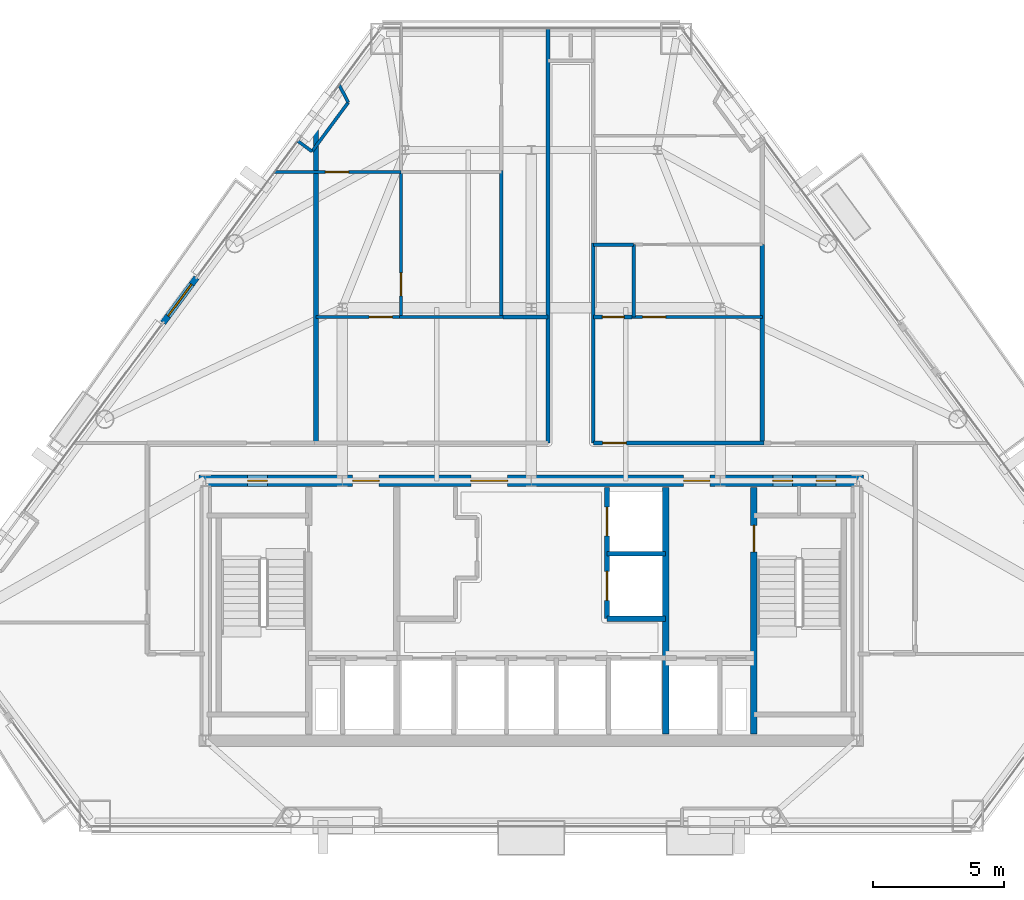
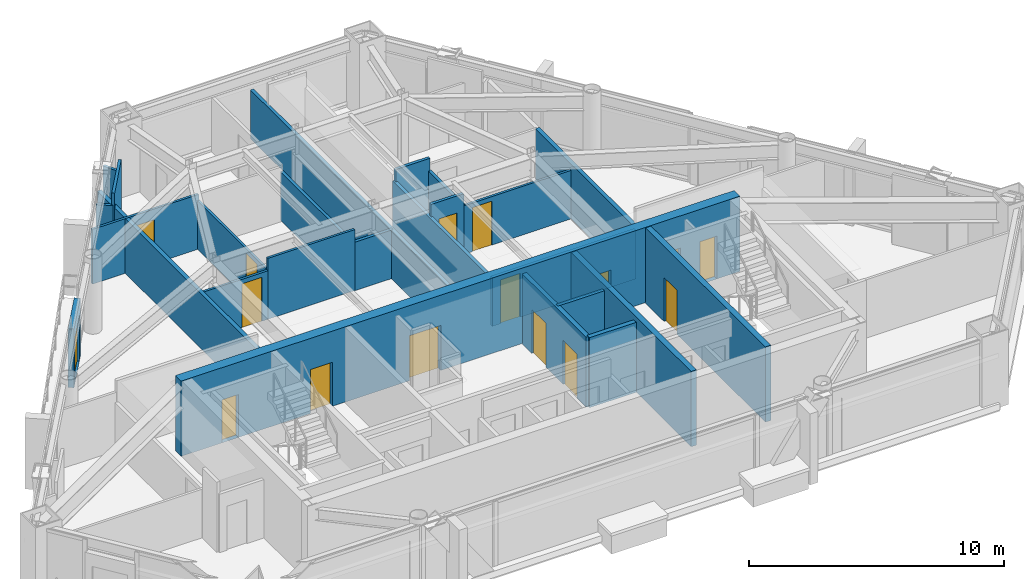
# One storey, part 8 of 11: 25 walls, 16 doors, 16 openings.
"""IFC4 building model written with IfcOpenShell, lengths in metres."""

from ifc_helpers import new_model, si_unit, direction, frame, frame_2d, origin, place, context, subcontext, project, spatial, rectangle, extrude, material, layer, layer_set, type_object, element, fill, save


model = new_model("IFC4")

# Units and contexts
model_context = context("Model", 3, precision=1e-05, world=origin(), true_north=direction((0.0, 1.0)))
body_context = subcontext(model_context, "Body", "Model", "MODEL_VIEW")
ifc_project = project(units=[si_unit("LENGTHUNIT", "METRE"), si_unit("AREAUNIT", "SQUARE_METRE"), si_unit("VOLUMEUNIT", "CUBIC_METRE"), si_unit("PLANEANGLEUNIT", "RADIAN"), si_unit("MASSUNIT", "GRAM", prefix="KILO")], contexts=[model_context])

# Site, building, storey
site_placement = place(None, origin())
site = spatial("IfcSite", under=ifc_project, at=site_placement, CompositionType="ELEMENT")
building_placement = place(site_placement, origin())
building = spatial("IfcBuilding", under=site, at=building_placement, Name="Talgorran Terracotta Tower", CompositionType="ELEMENT")
storey_placement = place(building_placement, frame((0.0, 0.0, 122.10009765625)))
storey = spatial("IfcBuildingStorey", under=building, at=storey_placement, Name="L31", CompositionType="ELEMENT", Elevation=122.10009765625)

# Wall, opening, door
ifc_material_1 = material(Name="Concrete C40/50", Category="concrete")
ifc_layer_1 = layer(ifc_material_1, 0.239990234375, Name="WT_BALCONY_SPAND")
ifc_layer_set_1 = layer_set([ifc_layer_1], Name="Concrete C40/50")
wall_type_1 = type_object("IfcWallType", Name="WT_BALCONY_SPAND", PredefinedType="STANDARD", material=ifc_layer_set_1)
wall_1_placement = place(storey_placement, frame((-12.7509765625, 3.541015625, -0.01513671875), z_axis=(0.0, 0.0, 1.0), x_axis=(-0.594638042479, -0.80399353134, 0.0)))
wall_1 = element("IfcWall", 1, at=wall_1_placement, inside=storey, type_object=wall_type_1, Name="WL-L31-BALP-BAL-NW", PredefinedType="STANDARD", context=body_context, shape_type="SweptSolid", body=[
    extrude(rectangle(XDim=2.139892578125, YDim=0.239990234375, at=frame_2d((1.06982421875, 0.0))), origin(), (0.0, 0.0, 1.0), 2.80712890625),
])
opening_1_placement = place(wall_1_placement, frame((0.320068359375, 0.0, 0.014892578125)))
opening_1 = element("IfcOpeningElement", 2, at=opening_1_placement, cuts=wall_1, Name="Opening D-BAL-L31-2", PredefinedType="OPENING", context=body_context, shape_type="SweptSolid", body=[
    extrude(rectangle(XDim=1.506, YDim=2.203951171875, at=frame_2d((0.75, 1.10205078125))), frame((0.0, 0.1298828125, 0.0), z_axis=(0.0, -1.0, 0.0), x_axis=(1.0, 0.0, 0.0)), (0.0, 0.0, 1.0), 0.260009765625),
])
ifc_material_2 = material(Name="Thermally Broken Aluminium", Category="aluminium")
door_type_1 = type_object("IfcDoorType", Name="DT_BALC_1500", OperationType="SLIDING_TO_RIGHT", PredefinedType="DOOR", material=ifc_material_2)
door_1_placement = place(opening_1_placement, origin())
door_1 = element("IfcDoor", 3, at=door_1_placement, inside=storey, type_object=door_type_1, Name="DR-L31-BAL-BAL-NW", OperationType="SLIDING_TO_RIGHT", OverallHeight=2.199951171875, OverallWidth=1.5, PredefinedType="DOOR", context=body_context, shape_type="SweptSolid", body=[
    extrude(rectangle(XDim=1.5, YDim=2.199951171875, at=frame_2d((0.75, 1.10009765625))), frame((0.0, 0.02490234375, 0.0), z_axis=(0.0, -1.0, 0.0), x_axis=(1.0, 0.0, 0.0)), (0.0, 0.0, 1.0), 0.050048828125),
])
fill(opening_1, door_1)

# Wall, openings, doors
ifc_material_3 = material(Name="Concrete C50/60", Category="concrete")
ifc_layer_2 = layer(ifc_material_3, 0.199951171875, Name="WT_CORE_200")
ifc_layer_set_2 = layer_set([ifc_layer_2], Name="Concrete C50/60")
wall_type_2 = type_object("IfcWallType", Name="WT_CORE_200", PredefinedType="SOLIDWALL", material=ifc_layer_set_2)
wall_2_placement = place(storey_placement, frame((2.8798828125, -9.449951171875, 0.0), z_axis=(0.0, 0.0, 1.0), x_axis=(0.0, 1.0, 0.0)))
wall_2 = element("IfcWall", 4, at=wall_2_placement, inside=storey, type_object=wall_type_2, Name="WL-L31-CW-V-E3", PredefinedType="SOLIDWALL", context=body_context, shape_type="SweptSolid", body=[
    extrude(rectangle(XDim=5.0, YDim=0.199951171875, at=frame_2d((2.5, 0.0))), origin(), (0.0, 0.0, 1.0), 3.349853515625),
])
opening_2_placement = place(wall_2_placement, frame((0.699951171875, 0.0, 0.0)))
opening_2 = element("IfcOpeningElement", 5, at=opening_2_placement, cuts=wall_2, Name="Opening LD-PLM1", PredefinedType="OPENING", context=body_context, shape_type="SweptSolid", body=[
    extrude(rectangle(XDim=1.10609765625, YDim=2.10409765625, at=frame_2d((0.550048828125, 1.052001953125))), frame((0.0, 0.10986328125, 0.0), z_axis=(0.0, -1.0, 0.0), x_axis=(1.0, 0.0, 0.0)), (0.0, 0.0, 1.0), 0.219970703125),
])
opening_3_placement = place(wall_2_placement, frame((3.14990234375, 0.0, 0.0)))
opening_3 = element("IfcOpeningElement", 6, at=opening_3_placement, cuts=wall_2, Name="Opening LD-PLM2", PredefinedType="OPENING", context=body_context, shape_type="SweptSolid", body=[
    extrude(rectangle(XDim=1.10609765625, YDim=2.10409765625, at=frame_2d((0.550048828125, 1.052001953125))), frame((0.0, 0.10986328125, 0.0), z_axis=(0.0, -1.0, 0.0), x_axis=(1.0, 0.0, 0.0)), (0.0, 0.0, 1.0), 0.219970703125),
])
ifc_material_4 = material(Name="Brushed Stainless Steel Grade 304", Category="steel")
door_type_2 = type_object("IfcDoorType", Name="DT_LIFT_LD1100", OperationType="DOUBLE_DOOR_SLIDING", PredefinedType="DOOR", material=ifc_material_4)
door_2_placement = place(opening_2_placement, origin())
door_2 = element("IfcDoor", 7, at=door_2_placement, inside=storey, type_object=door_type_2, Name="L31 Lift Landing Door LD-PLM1", OperationType="DOUBLE_DOOR_SLIDING", OverallHeight=2.10009765625, OverallWidth=1.10009765625, PredefinedType="DOOR", context=body_context, shape_type="SweptSolid", body=[
    extrude(rectangle(XDim=1.10009765625, YDim=2.10009765625, at=frame_2d((0.550048828125, 1.050048828125))), frame((0.0, 0.02490234375, 0.0), z_axis=(0.0, -1.0, 0.0), x_axis=(1.0, 0.0, 0.0)), (0.0, 0.0, 1.0), 0.050048828125),
])
fill(opening_2, door_2)
door_3_placement = place(opening_3_placement, origin())
door_3 = element("IfcDoor", 8, at=door_3_placement, inside=storey, type_object=door_type_2, Name="L31 Lift Landing Door LD-PLM2", OperationType="DOUBLE_DOOR_SLIDING", OverallHeight=2.10009765625, OverallWidth=1.10009765625, PredefinedType="DOOR", context=body_context, shape_type="SweptSolid", body=[
    extrude(rectangle(XDim=1.10009765625, YDim=2.10009765625, at=frame_2d((0.550048828125, 1.050048828125))), frame((0.0, 0.02490234375, 0.0), z_axis=(0.0, -1.0, 0.0), x_axis=(1.0, 0.0, 0.0)), (0.0, 0.0, 1.0), 0.050048828125),
])
fill(opening_3, door_3)

# Wall
wall_3_placement = place(storey_placement, frame((2.8798828125, -9.449951171875, 0.0), z_axis=(0.0, 0.0, 1.0), x_axis=(1.0, 0.0, 0.0)))
element("IfcWall", 9, at=wall_3_placement, inside=storey, type_object=wall_type_2, Name="WL-L31-CW-H-E4", PredefinedType="SOLIDWALL", context=body_context, shape_type="SweptSolid", body=[
    extrude(rectangle(XDim=2.240234375, YDim=0.199951171875, at=frame_2d((1.1201171875, 0.0))), origin(), (0.0, 0.0, 1.0), 3.349853515625),
])

# Wall, opening, door
ifc_layer_3 = layer(ifc_material_3, 0.25, Name="WT_CORE_250")
ifc_layer_set_3 = layer_set([ifc_layer_3], Name="Concrete C50/60")
wall_type_3 = type_object("IfcWallType", Name="WT_CORE_250", PredefinedType="SHEAR", material=ifc_layer_set_3)
wall_4_placement = place(storey_placement, frame((8.47998046875, -13.85009765625, 0.0), z_axis=(0.0, 0.0, 1.0), x_axis=(0.0, 1.0, 0.0)))
wall_4 = element("IfcWall", 10, at=wall_4_placement, inside=storey, type_object=wall_type_3, Name="WL-L31-CW-V-E1", PredefinedType="SHEAR", context=body_context, shape_type="SweptSolid", body=[
    extrude(rectangle(XDim=9.400146484375, YDim=0.25, at=frame_2d((4.7001953125, 0.0))), origin(), (0.0, 0.0, 1.0), 3.599853515625),
])
opening_4_placement = place(wall_4_placement, frame((6.949951171875, 0.0, 0.0)))
opening_4 = element("IfcOpeningElement", 11, at=opening_4_placement, cuts=wall_4, Name="Opening DR-ST02", PredefinedType="OPENING", context=body_context, shape_type="SweptSolid", body=[
    extrude(rectangle(XDim=1.006, YDim=2.10409765625, at=frame_2d((0.5, 1.052001953125))), frame((0.0, 0.135009765625, 0.0), z_axis=(0.0, -1.0, 0.0), x_axis=(1.0, 0.0, 0.0)), (0.0, 0.0, 1.0), 0.27001953125),
])
ifc_material_5 = material(Name="Fire-Rated Pressed Steel", Category="steel")
door_type_3 = type_object("IfcDoorType", Name="DT_FIRE_1000", OperationType="NOTDEFINED", PredefinedType="DOOR", material=ifc_material_5)
door_4_placement = place(opening_4_placement, origin())
door_4 = element("IfcDoor", 12, at=door_4_placement, inside=storey, type_object=door_type_3, Name="DR-ST02", OperationType="SINGLE_SWING_RIGHT", OverallHeight=2.10009765625, OverallWidth=1.0, PredefinedType="DOOR", context=body_context, shape_type="SweptSolid", body=[
    extrude(rectangle(XDim=1.0, YDim=2.10009765625, at=frame_2d((0.5, 1.050048828125))), frame((0.0, 0.02490234375, 0.0), z_axis=(0.0, -1.0, 0.0), x_axis=(1.0, 0.0, 0.0)), (0.0, 0.0, 1.0), 0.050048828125),
])
fill(opening_4, door_4)

# Wall
wall_5_placement = place(storey_placement, frame((5.1201171875, -13.85009765625, 0.0), z_axis=(0.0, 0.0, 1.0), x_axis=(0.0, 1.0, 0.0)))
element("IfcWall", 13, at=wall_5_placement, inside=storey, type_object=wall_type_3, Name="WL-L31-CW-V-E2", PredefinedType="SHEAR", context=body_context, shape_type="SweptSolid", body=[
    extrude(rectangle(XDim=9.400146484375, YDim=0.25, at=frame_2d((4.7001953125, 0.0))), origin(), (0.0, 0.0, 1.0), 3.599853515625),
])

# Wall, openings, doors
ifc_material_6 = material(Name="Concrete C65/80", Category="concrete")
ifc_layer_4 = layer(ifc_material_6, 0.449951171875, Name="WT_CORE_EXT")
ifc_layer_set_4 = layer_set([ifc_layer_4], Name="Concrete C65/80")
wall_type_4 = type_object("IfcWallType", Name="WT_CORE_EXT", PredefinedType="SHEAR", material=ifc_layer_set_4)
wall_6_placement = place(storey_placement, frame((-12.64990234375, -4.199951171875, 0.0), z_axis=(0.0, 0.0, 1.0), x_axis=(1.0, 0.0, 0.0)))
wall_6 = element("IfcWall", 14, at=wall_6_placement, inside=storey, type_object=wall_type_4, Name="WL-L31-CW-OUT-N", PredefinedType="SHEAR", context=body_context, shape_type="SweptSolid", body=[
    extrude(rectangle(XDim=25.2998046875, YDim=0.449951171875, at=frame_2d((12.64990234375, 0.0))), origin(), (0.0, 0.0, 1.0), 3.599853515625),
])
opening_5_placement = place(wall_6_placement, frame((1.85009765625, 0.0, 0.0)))
opening_5 = element("IfcOpeningElement", 15, at=opening_5_placement, cuts=wall_6, Name="Opening DR-CSN1", PredefinedType="OPENING", context=body_context, shape_type="SweptSolid", body=[
    extrude(rectangle(XDim=0.756, YDim=2.054048828125, at=frame_2d((0.375, 1.027099609375))), frame((0.0, 0.23486328125, 0.0), z_axis=(0.0, -1.0, 0.0), x_axis=(1.0, 0.0, 0.0)), (0.0, 0.0, 1.0), 0.469970703125),
])
opening_6_placement = place(wall_6_placement, frame((21.85009765625, 0.0, 0.0)))
opening_6 = element("IfcOpeningElement", 16, at=opening_6_placement, cuts=wall_6, Name="Opening DR-CSN2", PredefinedType="OPENING", context=body_context, shape_type="SweptSolid", body=[
    extrude(rectangle(XDim=0.756, YDim=2.054048828125, at=frame_2d((0.375, 1.027099609375))), frame((0.0, 0.23486328125, 0.0), z_axis=(0.0, -1.0, 0.0), x_axis=(1.0, 0.0, 0.0)), (0.0, 0.0, 1.0), 0.469970703125),
])
opening_7_placement = place(wall_6_placement, frame((23.5, 0.0, 0.0)))
opening_7 = element("IfcOpeningElement", 17, at=opening_7_placement, cuts=wall_6, Name="Opening DR-CSN3", PredefinedType="OPENING", context=body_context, shape_type="SweptSolid", body=[
    extrude(rectangle(XDim=0.756, YDim=2.054048828125, at=frame_2d((0.375, 1.027099609375))), frame((0.0, 0.23486328125, 0.0), z_axis=(0.0, -1.0, 0.0), x_axis=(1.0, 0.0, 0.0)), (0.0, 0.0, 1.0), 0.469970703125),
])
opening_8_placement = place(wall_6_placement, frame((5.85009765625, 0.0, 0.0)))
opening_8 = element("IfcOpeningElement", 18, at=opening_8_placement, cuts=wall_6, Name="Opening DR-FFLW-N", PredefinedType="OPENING", context=body_context, shape_type="SweptSolid", body=[
    extrude(rectangle(XDim=1.006, YDim=2.10409765625, at=frame_2d((0.5, 1.052001953125))), frame((0.0, 0.23486328125, 0.0), z_axis=(0.0, -1.0, 0.0), x_axis=(1.0, 0.0, 0.0)), (0.0, 0.0, 1.0), 0.469970703125),
])
opening_9_placement = place(wall_6_placement, frame((10.35009765625, 0.0, 0.0)))
opening_9 = element("IfcOpeningElement", 19, at=opening_9_placement, cuts=wall_6, Name="Opening DR-PLL-N", PredefinedType="OPENING", context=body_context, shape_type="SweptSolid", body=[
    extrude(rectangle(XDim=1.40590234375, YDim=2.15390234375, at=frame_2d((0.699951171875, 1.076904296875))), frame((0.0, 0.23486328125, 0.0), z_axis=(0.0, -1.0, 0.0), x_axis=(1.0, 0.0, 0.0)), (0.0, 0.0, 1.0), 0.469970703125),
])
opening_10_placement = place(wall_6_placement, frame((18.449951171875, 0.0, 0.0)))
opening_10 = element("IfcOpeningElement", 20, at=opening_10_placement, cuts=wall_6, Name="Opening DR-FFLE-N", PredefinedType="OPENING", context=body_context, shape_type="SweptSolid", body=[
    extrude(rectangle(XDim=1.006, YDim=2.10409765625, at=frame_2d((0.5, 1.052001953125))), frame((0.0, 0.23486328125, 0.0), z_axis=(0.0, -1.0, 0.0), x_axis=(1.0, 0.0, 0.0)), (0.0, 0.0, 1.0), 0.469970703125),
])
ifc_material_7 = material(Name="Acoustic Glazed Timber", Category="wood")
door_type_4 = type_object("IfcDoorType", Name="DT_DOUBLE_1400", OperationType="DOUBLE_DOOR_SINGLE_SWING", PredefinedType="DOOR", material=ifc_material_7)
door_5_placement = place(opening_9_placement, origin())
door_5 = element("IfcDoor", 21, at=door_5_placement, inside=storey, type_object=door_type_4, Name="DR-PLL-N", OperationType="DOUBLE_DOOR_SINGLE_SWING", OverallHeight=2.14990234375, OverallWidth=1.39990234375, PredefinedType="DOOR", context=body_context, shape_type="SweptSolid", body=[
    extrude(rectangle(XDim=1.39990234375, YDim=2.14990234375, at=frame_2d((0.699951171875, 1.074951171875))), frame((0.0, 0.02490234375, 0.0), z_axis=(0.0, -1.0, 0.0), x_axis=(1.0, 0.0, 0.0)), (0.0, 0.0, 1.0), 0.050048828125),
])
fill(opening_9, door_5)
door_6_placement = place(opening_8_placement, origin())
door_6 = element("IfcDoor", 22, at=door_6_placement, inside=storey, type_object=door_type_3, Name="DR-FFLW-N", OperationType="SINGLE_SWING_LEFT", OverallHeight=2.10009765625, OverallWidth=1.0, PredefinedType="DOOR", context=body_context, shape_type="SweptSolid", body=[
    extrude(rectangle(XDim=1.0, YDim=2.10009765625, at=frame_2d((0.5, 1.050048828125))), frame((0.0, 0.02490234375, 0.0), z_axis=(0.0, -1.0, 0.0), x_axis=(1.0, 0.0, 0.0)), (0.0, 0.0, 1.0), 0.050048828125),
])
fill(opening_8, door_6)
door_7_placement = place(opening_10_placement, origin())
door_7 = element("IfcDoor", 23, at=door_7_placement, inside=storey, type_object=door_type_3, Name="DR-FFLE-N", OperationType="SINGLE_SWING_RIGHT", OverallHeight=2.10009765625, OverallWidth=1.0, PredefinedType="DOOR", context=body_context, shape_type="SweptSolid", body=[
    extrude(rectangle(XDim=1.0, YDim=2.10009765625, at=frame_2d((0.5, 1.050048828125))), frame((0.0, 0.02490234375, 0.0), z_axis=(0.0, -1.0, 0.0), x_axis=(1.0, 0.0, 0.0)), (0.0, 0.0, 1.0), 0.050048828125),
])
fill(opening_10, door_7)
door_type_5 = type_object("IfcDoorType", Name="DT_RISER_750", OperationType="NOTDEFINED", PredefinedType="DOOR", material=ifc_material_5)
door_8_placement = place(opening_5_placement, origin())
door_8 = element("IfcDoor", 24, at=door_8_placement, inside=storey, type_object=door_type_5, Name="DR-CSN1", OperationType="SINGLE_SWING_LEFT", OverallHeight=2.050048828125, OverallWidth=0.75, PredefinedType="DOOR", context=body_context, shape_type="SweptSolid", body=[
    extrude(rectangle(XDim=0.75, YDim=2.050048828125, at=frame_2d((0.375, 1.02490234375))), frame((0.0, 0.02490234375, 0.0), z_axis=(0.0, -1.0, 0.0), x_axis=(1.0, 0.0, 0.0)), (0.0, 0.0, 1.0), 0.050048828125),
])
fill(opening_5, door_8)
door_9_placement = place(opening_6_placement, origin())
door_9 = element("IfcDoor", 25, at=door_9_placement, inside=storey, type_object=door_type_5, Name="DR-CSN2", OperationType="SINGLE_SWING_LEFT", OverallHeight=2.050048828125, OverallWidth=0.75, PredefinedType="DOOR", context=body_context, shape_type="SweptSolid", body=[
    extrude(rectangle(XDim=0.75, YDim=2.050048828125, at=frame_2d((0.375, 1.02490234375))), frame((0.0, 0.02490234375, 0.0), z_axis=(0.0, -1.0, 0.0), x_axis=(1.0, 0.0, 0.0)), (0.0, 0.0, 1.0), 0.050048828125),
])
fill(opening_6, door_9)
door_10_placement = place(opening_7_placement, origin())
door_10 = element("IfcDoor", 26, at=door_10_placement, inside=storey, type_object=door_type_5, Name="DR-CSN3", OperationType="SINGLE_SWING_RIGHT", OverallHeight=2.050048828125, OverallWidth=0.75, PredefinedType="DOOR", context=body_context, shape_type="SweptSolid", body=[
    extrude(rectangle(XDim=0.75, YDim=2.050048828125, at=frame_2d((0.375, 1.02490234375))), frame((0.0, 0.02490234375, 0.0), z_axis=(0.0, -1.0, 0.0), x_axis=(1.0, 0.0, 0.0)), (0.0, 0.0, 1.0), 0.050048828125),
])
fill(opening_7, door_10)

# Wall
ifc_material_8 = material(Name="Fire-Rated Steel Stud Plasterboard", Category="steel")
ifc_layer_5 = layer(ifc_material_8, 0.14990234375, Name="WT_FIRE_150")
ifc_layer_set_5 = layer_set([ifc_layer_5], Name="Fire-Rated Steel Stud Plasterboard")
wall_type_5 = type_object("IfcWallType", Name="WT_FIRE_150", PredefinedType="PARTITIONING", material=ifc_layer_set_5)
wall_7_placement = place(storey_placement, frame((0.639892578125, -2.760009765625, 0.0), z_axis=(0.0, 0.0, 1.0), x_axis=(0.0, 1.0, 0.0)))
element("IfcWall", 27, at=wall_7_placement, inside=storey, type_object=wall_type_5, Name="WL-L31-W-L31-R09", PredefinedType="PARTITIONING", context=body_context, shape_type="SweptSolid", body=[
    extrude(rectangle(XDim=15.802001953125, YDim=0.14990234375, at=frame_2d((7.90087890625, 0.0))), origin(), (0.0, 0.0, 1.0), 2.324951171875),
])

# Wall, opening, door
wall_8_placement = place(storey_placement, frame((2.360107421875, -2.760009765625, 0.0), z_axis=(0.0, 0.0, 1.0), x_axis=(1.0, 0.0, 0.0)))
wall_8 = element("IfcWall", 28, at=wall_8_placement, inside=storey, type_object=wall_type_5, Name="WL-L31-W-L31-R12", PredefinedType="PARTITIONING", context=body_context, shape_type="SweptSolid", body=[
    extrude(rectangle(XDim=6.5, YDim=0.14990234375, at=frame_2d((3.25, 0.0))), origin(), (0.0, 0.0, 1.0), 2.324951171875),
])
opening_11_placement = place(wall_8_placement, frame((0.360107421875, 0.0, 0.0)))
opening_11 = element("IfcOpeningElement", 29, at=opening_11_placement, cuts=wall_8, Name="Opening DR-L31-R12", PredefinedType="OPENING", context=body_context, shape_type="SweptSolid", body=[
    extrude(rectangle(XDim=0.90590234375, YDim=2.10409765625, at=frame_2d((0.449951171875, 1.052001953125))), frame((0.0, 0.0849609375, 0.0), z_axis=(0.0, -1.0, 0.0), x_axis=(1.0, 0.0, 0.0)), (0.0, 0.0, 1.0), 0.169921875),
])
ifc_material_9 = material(Name="Fire-Rated Timber Core", Category="wood")
door_type_6 = type_object("IfcDoorType", Name="DT_FIRE_900", OperationType="NOTDEFINED", PredefinedType="DOOR", material=ifc_material_9)
door_11_placement = place(opening_11_placement, origin())
door_11 = element("IfcDoor", 30, at=door_11_placement, inside=storey, type_object=door_type_6, Name="DR-L31-R12", OperationType="SINGLE_SWING_RIGHT", OverallHeight=2.10009765625, OverallWidth=0.89990234375, PredefinedType="DOOR", context=body_context, shape_type="SweptSolid", body=[
    extrude(rectangle(XDim=0.89990234375, YDim=2.10009765625, at=frame_2d((0.449951171875, 1.050048828125))), frame((0.0, 0.02490234375, 0.0), z_axis=(0.0, -1.0, 0.0), x_axis=(1.0, 0.0, 0.0)), (0.0, 0.0, 1.0), 0.050048828125),
])
fill(opening_11, door_11)

# Walls
wall_9_placement = place(storey_placement, frame((2.360107421875, -2.760009765625, 0.0), z_axis=(0.0, 0.0, 1.0), x_axis=(0.0, 1.0, 0.0)))
element("IfcWall", 31, at=wall_9_placement, inside=storey, type_object=wall_type_5, Name="WL-L31-W-L31-R11", PredefinedType="PARTITIONING", context=body_context, shape_type="SweptSolid", body=[
    extrude(rectangle(XDim=7.6201171875, YDim=0.14990234375, at=frame_2d((3.81005859375, 0.0))), origin(), (0.0, 0.0, 1.0), 2.324951171875),
])
ifc_material_10 = material(Name="Acoustic Stud and Plasterboard")
ifc_layer_6 = layer(ifc_material_10, 0.179931640625, Name="WT_PARTY_200")
ifc_layer_set_6 = layer_set([ifc_layer_6], Name="Acoustic Stud and Plasterboard")
wall_type_6 = type_object("IfcWallType", Name="WT_PARTY_200", PredefinedType="PARTITIONING", material=ifc_layer_set_6)
wall_10_placement = place(storey_placement, frame((-8.199951171875, -2.760009765625, 0.0), z_axis=(0.0, 0.0, 1.0), x_axis=(0.0, 1.0, 0.0)))
element("IfcWall", 32, at=wall_10_placement, inside=storey, type_object=wall_type_6, Name="WL-L31-W-L31-R23", PredefinedType="PARTITIONING", context=body_context, shape_type="SweptSolid", body=[
    extrude(rectangle(XDim=12.454345703125, YDim=0.179931640625, at=frame_2d((6.22705078125, 0.0))), origin(), (0.0, 0.0, 1.0), 2.616943359375),
])
wall_11_placement = place(storey_placement, frame((8.800048828125, -2.760009765625, 0.0), z_axis=(0.0, 0.0, 1.0), x_axis=(0.0, 1.0, 0.0)))
element("IfcWall", 33, at=wall_11_placement, inside=storey, type_object=wall_type_6, Name="WL-L31-W-L31-R36", PredefinedType="PARTITIONING", context=body_context, shape_type="SweptSolid", body=[
    extrude(rectangle(XDim=7.56005859375, YDim=0.179931640625, at=frame_2d((3.780029296875, 0.0))), origin(), (0.0, 0.0, 1.0), 2.616943359375),
])

# Wall, opening, door
ifc_material_11 = material(Name="Lightweight Steel Stud Partition", Category="steel")
ifc_layer_7 = layer(ifc_material_11, 0.10498046875, Name="WT_PART_110")
ifc_layer_set_7 = layer_set([ifc_layer_7], Name="Lightweight Steel Stud Partition")
wall_type_7 = type_object("IfcWallType", Name="WT_PART_110", PredefinedType="PARTITIONING", material=ifc_layer_set_7)
wall_12_placement = place(storey_placement, frame((-4.9599609375, 2.0400390625, 0.0), z_axis=(0.0, 0.0, 1.0), x_axis=(0.0, 1.0, 0.0)))
wall_12 = element("IfcWall", 34, at=wall_12_placement, inside=storey, type_object=wall_type_7, Name="WL-L31-W-L31-R30", PredefinedType="PARTITIONING", context=body_context, shape_type="SweptSolid", body=[
    extrude(rectangle(XDim=5.52001953125, YDim=0.10498046875, at=frame_2d((2.760009765625, 0.0))), origin(), (0.0, 0.0, 1.0), 2.324951171875),
])
opening_12_placement = place(wall_12_placement, frame((0.800048828125, 0.0, 0.0)))
opening_12 = element("IfcOpeningElement", 35, at=opening_12_placement, cuts=wall_12, Name="Opening DR-L31-R09", PredefinedType="OPENING", context=body_context, shape_type="SweptSolid", body=[
    extrude(rectangle(XDim=0.8858828125, YDim=2.10409765625, at=frame_2d((0.43994140625, 1.052001953125))), frame((0.0, 0.0625, 0.0), z_axis=(0.0, -1.0, 0.0), x_axis=(1.0, 0.0, 0.0)), (0.0, 0.0, 1.0), 0.125),
])
ifc_material_12 = material(Name="Solid-Core Painted Timber", Category="wood")
door_type_7 = type_object("IfcDoorType", Name="DT_INT_880", OperationType="NOTDEFINED", PredefinedType="DOOR", material=ifc_material_12)
door_12_placement = place(opening_12_placement, origin())
door_12 = element("IfcDoor", 36, at=door_12_placement, inside=storey, type_object=door_type_7, Name="DR-L31-R09", OperationType="SINGLE_SWING_LEFT", OverallHeight=2.10009765625, OverallWidth=0.8798828125, PredefinedType="DOOR", context=body_context, shape_type="SweptSolid", body=[
    extrude(rectangle(XDim=0.8798828125, YDim=2.10009765625, at=frame_2d((0.43994140625, 1.050048828125))), frame((0.0, 0.02490234375, 0.0), z_axis=(0.0, -1.0, 0.0), x_axis=(1.0, 0.0, 0.0)), (0.0, 0.0, 1.0), 0.050048828125),
])
fill(opening_12, door_12)

wall_13_placement = place(storey_placement, frame((3.840087890625, 2.0400390625, 0.0), z_axis=(0.0, 0.0, 1.0), x_axis=(1.0, 0.0, 0.0)))
wall_13 = element("IfcWall", 37, at=wall_13_placement, inside=storey, type_object=wall_type_7, Name="WL-L31-W-L31-R35", PredefinedType="PARTITIONING", context=body_context, shape_type="SweptSolid", body=[
    extrude(rectangle(XDim=4.9599609375, YDim=0.10498046875, at=frame_2d((2.47998046875, 0.0))), origin(), (0.0, 0.0, 1.0), 2.324951171875),
])
opening_13_placement = place(wall_13_placement, frame((0.397216796875, 0.0, 0.0)))
opening_13 = element("IfcOpeningElement", 38, at=opening_13_placement, cuts=wall_13, Name="Opening DR-L31-R14", PredefinedType="OPENING", context=body_context, shape_type="SweptSolid", body=[
    extrude(rectangle(XDim=0.8858828125, YDim=2.10409765625, at=frame_2d((0.43994140625, 1.052001953125))), frame((0.0, 0.0625, 0.0), z_axis=(0.0, -1.0, 0.0), x_axis=(1.0, 0.0, 0.0)), (0.0, 0.0, 1.0), 0.125),
])
door_13_placement = place(opening_13_placement, origin())
door_13 = element("IfcDoor", 39, at=door_13_placement, inside=storey, type_object=door_type_7, Name="DR-L31-R14", OperationType="SINGLE_SWING_RIGHT", OverallHeight=2.10009765625, OverallWidth=0.8798828125, PredefinedType="DOOR", context=body_context, shape_type="SweptSolid", body=[
    extrude(rectangle(XDim=0.8798828125, YDim=2.10009765625, at=frame_2d((0.43994140625, 1.050048828125))), frame((0.0, 0.02490234375, 0.0), z_axis=(0.0, -1.0, 0.0), x_axis=(1.0, 0.0, 0.0)), (0.0, 0.0, 1.0), 0.050048828125),
])
fill(opening_13, door_13)

wall_14_placement = place(storey_placement, frame((-9.778564453125, 7.56005859375, 0.0), z_axis=(0.0, 0.0, 1.0), x_axis=(1.0, 0.0, 0.0)))
wall_14 = element("IfcWall", 40, at=wall_14_placement, inside=storey, type_object=wall_type_7, Name="WL-L31-W-L31-R31", PredefinedType="PARTITIONING", context=body_context, shape_type="SweptSolid", body=[
    extrude(rectangle(XDim=4.818603515625, YDim=0.10498046875, at=frame_2d((2.4091796875, 0.0))), origin(), (0.0, 0.0, 1.0), 2.616943359375),
])
opening_14_placement = place(wall_14_placement, frame((1.938720703125, 0.0, 0.0)))
opening_14 = element("IfcOpeningElement", 41, at=opening_14_placement, cuts=wall_14, Name="Opening DR-L31-R10", PredefinedType="OPENING", context=body_context, shape_type="SweptSolid", body=[
    extrude(rectangle(XDim=0.8858828125, YDim=2.10409765625, at=frame_2d((0.43994140625, 1.052001953125))), frame((0.0, 0.0625, 0.0), z_axis=(0.0, -1.0, 0.0), x_axis=(1.0, 0.0, 0.0)), (0.0, 0.0, 1.0), 0.125),
])
door_14_placement = place(opening_14_placement, origin())
door_14 = element("IfcDoor", 42, at=door_14_placement, inside=storey, type_object=door_type_7, Name="DR-L31-R10", OperationType="SINGLE_SWING_RIGHT", OverallHeight=2.10009765625, OverallWidth=0.8798828125, PredefinedType="DOOR", context=body_context, shape_type="SweptSolid", body=[
    extrude(rectangle(XDim=0.8798828125, YDim=2.10009765625, at=frame_2d((0.43994140625, 1.050048828125))), frame((0.0, 0.02490234375, 0.0), z_axis=(0.0, -1.0, 0.0), x_axis=(1.0, 0.0, 0.0)), (0.0, 0.0, 1.0), 0.050048828125),
])
fill(opening_14, door_14)

# Wall
wall_15_placement = place(storey_placement, frame((-5.02001953125, 2.0400390625, 0.0), z_axis=(0.0, 0.0, 1.0), x_axis=(1.0, 0.0, 0.0)))
element("IfcWall", 43, at=wall_15_placement, inside=storey, type_object=wall_type_7, Name="WL-L31-W-L31-R27", PredefinedType="PARTITIONING", context=body_context, shape_type="SweptSolid", body=[
    extrude(rectangle(XDim=3.93994140625, YDim=0.10498046875, at=frame_2d((1.969970703125, 0.0))), origin(), (0.0, 0.0, 1.0), 2.91845703125),
])

# Wall, opening, door
wall_16_placement = place(storey_placement, frame((-8.199951171875, 2.0400390625, 0.0), z_axis=(0.0, 0.0, 1.0), x_axis=(1.0, 0.0, 0.0)))
wall_16 = element("IfcWall", 44, at=wall_16_placement, inside=storey, type_object=wall_type_7, Name="WL-L31-W-L31-R26", PredefinedType="PARTITIONING", context=body_context, shape_type="SweptSolid", body=[
    extrude(rectangle(XDim=3.177978515625, YDim=0.10498046875, at=frame_2d((1.5888671875, 0.0))), origin(), (0.0, 0.0, 1.0), 2.324951171875),
])
opening_15_placement = place(wall_16_placement, frame((2.0224609375, 0.0, 0.0)))
opening_15 = element("IfcOpeningElement", 45, at=opening_15_placement, cuts=wall_16, Name="Opening DR-L31-R08", PredefinedType="OPENING", context=body_context, shape_type="SweptSolid", body=[
    extrude(rectangle(XDim=0.8858828125, YDim=2.10409765625, at=frame_2d((0.43994140625, 1.052001953125))), frame((0.0, 0.0625, 0.0), z_axis=(0.0, -1.0, 0.0), x_axis=(1.0, 0.0, 0.0)), (0.0, 0.0, 1.0), 0.125),
])
door_15_placement = place(opening_15_placement, origin())
door_15 = element("IfcDoor", 46, at=door_15_placement, inside=storey, type_object=door_type_7, Name="DR-L31-R08", OperationType="SINGLE_SWING_RIGHT", OverallHeight=2.10009765625, OverallWidth=0.8798828125, PredefinedType="DOOR", context=body_context, shape_type="SweptSolid", body=[
    extrude(rectangle(XDim=0.8798828125, YDim=2.10009765625, at=frame_2d((0.43994140625, 1.050048828125))), frame((0.0, 0.02490234375, 0.0), z_axis=(0.0, -1.0, 0.0), x_axis=(1.0, 0.0, 0.0)), (0.0, 0.0, 1.0), 0.050048828125),
])
fill(opening_15, door_15)

# Walls
ifc_material_13 = material(Name="Insulated Steel Stud Plasterboard", Category="steel")
ifc_layer_8 = layer(ifc_material_13, 0.1201171875, Name="WT_PART_120")
ifc_layer_set_8 = layer_set([ifc_layer_8], Name="Insulated Steel Stud Plasterboard")
wall_type_8 = type_object("IfcWallType", Name="WT_PART_120", PredefinedType="PARTITIONING", material=ifc_layer_set_8)
wall_17_placement = place(storey_placement, frame((-6.97119140625, 10.21240234375, 0.0), z_axis=(0.0, 0.0, 1.0), x_axis=(-0.594589014846, -0.804029790135, 0.0)))
element("IfcWall", 47, at=wall_17_placement, inside=storey, type_object=wall_type_8, Name="WL-L31-BW-L31-15", PredefinedType="PARTITIONING", context=body_context, shape_type="SweptSolid", body=[
    extrude(rectangle(XDim=2.3232421875, YDim=0.1201171875, at=frame_2d((1.16162109375, 0.0))), origin(), (0.0, 0.0, 1.0), 3.349853515625),
])
wall_18_placement = place(storey_placement, frame((-7.314208984375, 10.87548828125, 0.0), z_axis=(0.0, 0.0, 1.0), x_axis=(0.459467400797, -0.888194633853, 0.0)))
element("IfcWall", 48, at=wall_18_placement, inside=storey, type_object=wall_type_8, Name="WL-L31-BW-L31-14", PredefinedType="PARTITIONING", context=body_context, shape_type="SweptSolid", body=[
    extrude(rectangle(XDim=0.74658203125, YDim=0.1201171875, at=frame_2d((0.373291015625, 0.0))), origin(), (0.0, 0.0, 1.0), 2.7919921875),
])
wall_19_placement = place(storey_placement, frame((-8.3525390625, 8.344482421875, 0.0), z_axis=(0.0, 0.0, 1.0), x_axis=(-0.803918563719, 0.594739390748, 0.0)))
element("IfcWall", 49, at=wall_19_placement, inside=storey, type_object=wall_type_8, Name="WL-L31-BW-L31-16", PredefinedType="PARTITIONING", context=body_context, shape_type="SweptSolid", body=[
    extrude(rectangle(XDim=0.669921875, YDim=0.1201171875, at=frame_2d((0.3349609375, 0.0))), origin(), (0.0, 0.0, 1.0), 2.7919921875),
])
ifc_material_14 = material(Name="Moisture-Resistant Stud Wall")
ifc_layer_9 = layer(ifc_material_14, 0.135009765625, Name="WT_PART_135")
ifc_layer_set_9 = layer_set([ifc_layer_9], Name="Moisture-Resistant Stud Wall")
wall_type_9 = type_object("IfcWallType", Name="WT_PART_135", PredefinedType="PARTITIONING", material=ifc_layer_set_9)
wall_20_placement = place(storey_placement, frame((-1.139892578125, 2.0400390625, 0.0), z_axis=(0.0, 0.0, 1.0), x_axis=(0.0, 1.0, 0.0)))
element("IfcWall", 50, at=wall_20_placement, inside=storey, type_object=wall_type_9, Name="WL-L31-W-L31-R28", PredefinedType="PARTITIONING", context=body_context, shape_type="SweptSolid", body=[
    extrude(rectangle(XDim=5.580078125, YDim=0.135009765625, at=frame_2d((2.7900390625, 0.0))), origin(), (0.0, 0.0, 1.0), 2.324951171875),
])
wall_21_placement = place(storey_placement, frame((3.89990234375, 2.0400390625, 0.0), z_axis=(0.0, 0.0, 1.0), x_axis=(0.0, 1.0, 0.0)))
element("IfcWall", 51, at=wall_21_placement, inside=storey, type_object=wall_type_9, Name="WL-L31-W-L31-R37", PredefinedType="PARTITIONING", context=body_context, shape_type="SweptSolid", body=[
    extrude(rectangle(XDim=2.760009765625, YDim=0.135009765625, at=frame_2d((1.3798828125, 0.0))), origin(), (0.0, 0.0, 1.0), 2.324951171875),
])
wall_22_placement = place(storey_placement, frame((-1.077880859375, 2.0400390625, 0.0), z_axis=(0.0, 0.0, 1.0), x_axis=(1.0, 0.0, 0.0)))
element("IfcWall", 52, at=wall_22_placement, inside=storey, type_object=wall_type_9, Name="WL-L31-W-L31-R25", PredefinedType="PARTITIONING", context=body_context, shape_type="SweptSolid", body=[
    extrude(rectangle(XDim=1.7177734375, YDim=0.135009765625, at=frame_2d((0.85888671875, 0.0))), origin(), (0.0, 0.0, 1.0), 2.324951171875),
])

# Wall, opening, door
wall_23_placement = place(storey_placement, frame((2.360107421875, 2.0400390625, 0.0), z_axis=(0.0, 0.0, 1.0), x_axis=(1.0, 0.0, 0.0)))
wall_23 = element("IfcWall", 53, at=wall_23_placement, inside=storey, type_object=wall_type_9, Name="WL-L31-W-L31-R34", PredefinedType="PARTITIONING", context=body_context, shape_type="SweptSolid", body=[
    extrude(rectangle(XDim=1.477783203125, YDim=0.135009765625, at=frame_2d((0.73876953125, 0.0))), origin(), (0.0, 0.0, 1.0), 2.91845703125),
])
opening_16_placement = place(wall_23_placement, frame((0.351318359375, 0.0, 0.0)))
opening_16 = element("IfcOpeningElement", 54, at=opening_16_placement, cuts=wall_23, Name="Opening DR-L31-R13", PredefinedType="OPENING", context=body_context, shape_type="SweptSolid", body=[
    extrude(rectangle(XDim=0.826068359375, YDim=2.10409765625, at=frame_2d((0.41015625, 1.052001953125))), frame((0.0, 0.07763671875, 0.0), z_axis=(0.0, -1.0, 0.0), x_axis=(1.0, 0.0, 0.0)), (0.0, 0.0, 1.0), 0.155029296875),
])
ifc_material_15 = material(Name="Moisture-Resistant Solid Timber", Category="wood")
door_type_8 = type_object("IfcDoorType", Name="DT_INT_820", OperationType="NOTDEFINED", PredefinedType="DOOR", material=ifc_material_15)
door_16_placement = place(opening_16_placement, origin())
door_16 = element("IfcDoor", 55, at=door_16_placement, inside=storey, type_object=door_type_8, Name="DR-L31-R13", OperationType="SINGLE_SWING_LEFT", OverallHeight=2.10009765625, OverallWidth=0.820068359375, PredefinedType="DOOR", context=body_context, shape_type="SweptSolid", body=[
    extrude(rectangle(XDim=0.820068359375, YDim=2.10009765625, at=frame_2d((0.41015625, 1.050048828125))), frame((0.0, 0.02490234375, 0.0), z_axis=(0.0, -1.0, 0.0), x_axis=(1.0, 0.0, 0.0)), (0.0, 0.0, 1.0), 0.050048828125),
])
fill(opening_16, door_16)

# Walls
wall_24_placement = place(storey_placement, frame((2.360107421875, 4.800048828125, 0.0), z_axis=(0.0, 0.0, 1.0), x_axis=(1.0, 0.0, 0.0)))
element("IfcWall", 56, at=wall_24_placement, inside=storey, type_object=wall_type_9, Name="WL-L31-W-L31-R38", PredefinedType="PARTITIONING", context=body_context, shape_type="SweptSolid", body=[
    extrude(rectangle(XDim=1.539794921875, YDim=0.135009765625, at=frame_2d((0.77001953125, 0.0))), origin(), (0.0, 0.0, 1.0), 2.91845703125),
])
ifc_material_16 = material(Name="Fire-Rated Shaftwall")
ifc_layer_10 = layer(ifc_material_16, 0.159912109375, Name="WT_PART_150")
ifc_layer_set_10 = layer_set([ifc_layer_10], Name="Fire-Rated Shaftwall")
wall_type_10 = type_object("IfcWallType", Name="WT_PART_150", PredefinedType="PARTITIONING", material=ifc_layer_set_10)
wall_25_placement = place(storey_placement, frame((2.8798828125, -6.97998046875, 0.0), z_axis=(0.0, 0.0, 1.0), x_axis=(1.0, 0.0, 0.0)))
element("IfcWall", 57, at=wall_25_placement, inside=storey, type_object=wall_type_10, Name="WL-L31-CW-PLM-DIV", PredefinedType="PARTITIONING", context=body_context, shape_type="SweptSolid", body=[
    extrude(rectangle(XDim=2.240234375, YDim=0.159912109375, at=frame_2d((1.1201171875, 0.0))), origin(), (0.0, 0.0, 1.0), 3.349853515625),
])

save(model, "model.ifc")
